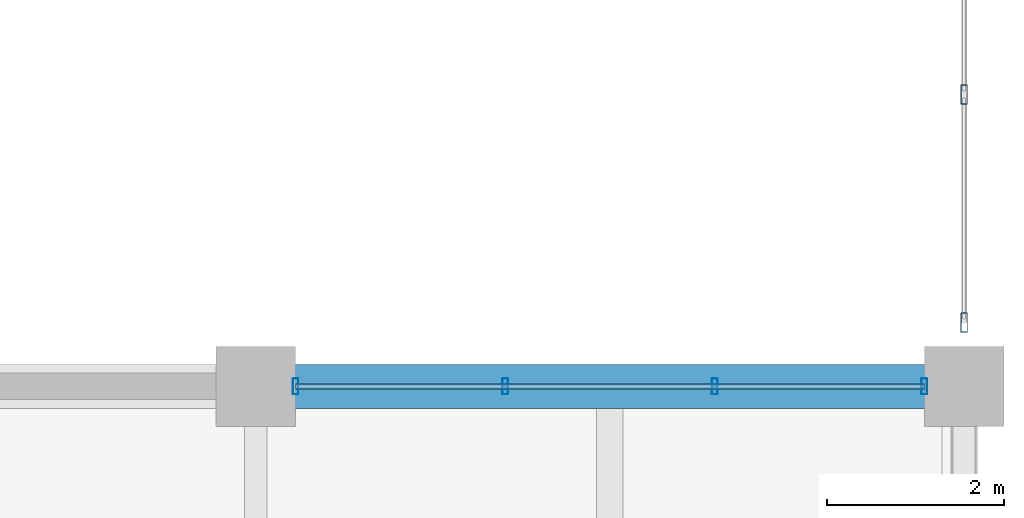
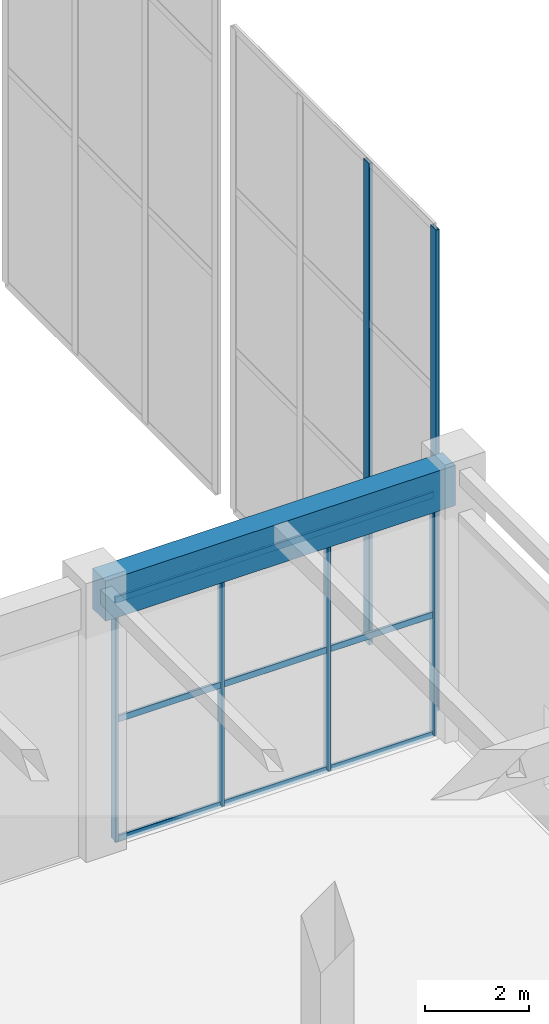
# One storey, part 103 of 163: 9 members, 1 beam, 2 elements without a shape of their own.
"""IFC4 building model written with IfcOpenShell, lengths in metres."""

from ifc_helpers import new_model, si_unit, direction, frame, origin, origin_2d, place, context, subcontext, project, spatial, rectangle, hollow_rectangle, extrude, material, material_profile, profile_set, type_object, element, aggregate, save


model = new_model("IFC4")

# Units and contexts
model_context = context("Model", 3, precision=1e-05, world=origin(), true_north=direction((0.0, 1.0)))
body_context = subcontext(model_context, "Body", "Model", "MODEL_VIEW")
ifc_project = project(units=[si_unit("LENGTHUNIT", "METRE"), si_unit("AREAUNIT", "SQUARE_METRE"), si_unit("VOLUMEUNIT", "CUBIC_METRE"), si_unit("PLANEANGLEUNIT", "RADIAN"), si_unit("MASSUNIT", "GRAM", prefix="KILO")], contexts=[model_context])

# Site, building, storey
site_placement = place(None, origin())
site = spatial("IfcSite", under=ifc_project, at=site_placement, CompositionType="ELEMENT")
building_placement = place(site_placement, origin())
building = spatial("IfcBuilding", under=site, at=building_placement, Name="Varnabhumi Central Station", CompositionType="ELEMENT")
storey_placement = place(building_placement, frame((0.0, 0.0, 9.60009765625)))
storey = spatial("IfcBuildingStorey", under=building, at=storey_placement, Name="L02", CompositionType="ELEMENT", Elevation=9.60009765625)

# Beam
ifc_material_1 = material(Name="Concrete M40", Category="concrete")
ifc_material_profile_1 = material_profile(ifc_material_1, rectangle(XDim=0.5, YDim=0.949951171875, at=origin_2d()), Name="Concrete M40", Category="concrete")
ifc_profile_set_1 = profile_set([ifc_material_profile_1], Name="Concrete M40")
beam_type = type_object("IfcBeamType", Name="BM-RC-950x500", PredefinedType="BEAM", material=ifc_profile_set_1)
beam_placement = place(storey_placement, frame((176.10009765625, 36.0, 5.875), z_axis=(1.0, 0.0, 0.0), x_axis=(0.0, 1.0, 0.0)))
element("IfcBeam", 1, at=beam_placement, inside=storey, type_object=beam_type, Name="Beam L02-E:23-24", PredefinedType="BEAM", context=body_context, shape_type="SweptSolid", body=[
    extrude(rectangle(XDim=0.5, YDim=0.949951171875, at=origin_2d()), origin(), (0.0, 0.0, 1.0), 7.7998046875),
])

# Curtain wall, members
ifc_material_2 = material(Name="Anodised aluminium 6063-T6", Category="aluminium")
curtain_wall_type_1 = type_object("IfcCurtainWallType", Name="CW-SPINE-SCREEN-L2", PredefinedType="NOTDEFINED", material=ifc_material_2)
curtain_wall_1_placement = place(storey_placement, origin())
curtain_wall_1 = element("IfcCurtainWall", 2, at=curtain_wall_1_placement, inside=storey, type_object=curtain_wall_type_1, Name="Curtain Wall CW-SS218", PredefinedType="NOTDEFINED")
ifc_material_profile_2 = material_profile(ifc_material_2, hollow_rectangle(XDim=0.06494140625, YDim=0.179931640625, WallThickness=0.00390625, InnerFilletRadius=0.001953125, OuterFilletRadius=0.006103515625, at=origin_2d()), Name="Anodised aluminium 6063-T6", Category="aluminium")
ifc_profile_set_2 = profile_set([ifc_material_profile_2], Name="Anodised aluminium 6063-T6")
member_type_1 = type_object("IfcMemberType", Name="CW-MUL-180", PredefinedType="MULLION", material=ifc_profile_set_2)
member_1_placement = place(storey_placement, frame((176.449951171875, 36.0, 0.0), z_axis=(0.0, 0.0, 1.0), x_axis=(1.0, 0.0, 0.0)))
member_1 = element("IfcMember", 3, at=member_1_placement, type_object=member_type_1, Name="Curtain Wall Mullion CW-SS218-M1", PredefinedType="MULLION", context=body_context, shape_type="SweptSolid", body=[
    extrude(hollow_rectangle(XDim=0.06494140625, YDim=0.179931640625, WallThickness=0.00390625, InnerFilletRadius=0.001953125, OuterFilletRadius=0.006103515625, at=origin_2d()), origin(), (0.0, 0.0, 1.0), 5.639892578125),
])
member_2_placement = place(storey_placement, frame((178.816650390625, 36.0, 0.0), z_axis=(0.0, 0.0, 1.0), x_axis=(1.0, 0.0, 0.0)))
member_2 = element("IfcMember", 4, at=member_2_placement, type_object=member_type_1, Name="Curtain Wall Mullion CW-SS218-M2", PredefinedType="MULLION", context=body_context, shape_type="SweptSolid", body=[
    extrude(hollow_rectangle(XDim=0.06494140625, YDim=0.179931640625, WallThickness=0.00390625, InnerFilletRadius=0.001953125, OuterFilletRadius=0.006103515625, at=origin_2d()), origin(), (0.0, 0.0, 1.0), 5.639892578125),
])
member_3_placement = place(storey_placement, frame((181.183349609375, 36.0, 0.0), z_axis=(0.0, 0.0, 1.0), x_axis=(1.0, 0.0, 0.0)))
member_3 = element("IfcMember", 5, at=member_3_placement, type_object=member_type_1, Name="Curtain Wall Mullion CW-SS218-M3", PredefinedType="MULLION", context=body_context, shape_type="SweptSolid", body=[
    extrude(hollow_rectangle(XDim=0.06494140625, YDim=0.179931640625, WallThickness=0.00390625, InnerFilletRadius=0.001953125, OuterFilletRadius=0.006103515625, at=origin_2d()), origin(), (0.0, 0.0, 1.0), 5.639892578125),
])
member_4_placement = place(storey_placement, frame((183.550048828125, 36.0, 0.0), z_axis=(0.0, 0.0, 1.0), x_axis=(1.0, 0.0, 0.0)))
member_4 = element("IfcMember", 6, at=member_4_placement, type_object=member_type_1, Name="Curtain Wall Mullion CW-SS218-M4", PredefinedType="MULLION", context=body_context, shape_type="SweptSolid", body=[
    extrude(hollow_rectangle(XDim=0.06494140625, YDim=0.179931640625, WallThickness=0.00390625, InnerFilletRadius=0.001953125, OuterFilletRadius=0.006103515625, at=origin_2d()), origin(), (0.0, 0.0, 1.0), 5.639892578125),
])

curtain_wall_type_2 = type_object("IfcCurtainWallType", Name="CW-VAULT-ARCH-V5", PredefinedType="NOTDEFINED", material=ifc_material_2)
curtain_wall_2_placement = place(storey_placement, origin())
curtain_wall_2 = element("IfcCurtainWall", 7, at=curtain_wall_2_placement, inside=storey, type_object=curtain_wall_type_2, Name="Curtain Wall CW-WG1", PredefinedType="NOTDEFINED")
ifc_material_profile_3 = material_profile(ifc_material_2, hollow_rectangle(XDim=0.074951171875, YDim=0.219970703125, WallThickness=0.0048828125, InnerFilletRadius=0.0009765625, OuterFilletRadius=0.006103515625, at=origin_2d()), Name="Anodised aluminium 6063-T6", Category="aluminium")
ifc_profile_set_3 = profile_set([ifc_material_profile_3], Name="Anodised aluminium 6063-T6")
member_type_2 = type_object("IfcMemberType", Name="CW-MUL-220", PredefinedType="MULLION", material=ifc_profile_set_3)
member_5_placement = place(storey_placement, frame((184.0, 36.719970703125, 0.0), z_axis=(0.0, 0.0, 1.0), x_axis=(1.0, 0.0, 0.0)))
member_5 = element("IfcMember", 8, at=member_5_placement, type_object=member_type_2, Name="Curtain Wall Mullion CW-WG1-M1", PredefinedType="MULLION", context=body_context, shape_type="SweptSolid", body=[
    extrude(hollow_rectangle(XDim=0.074951171875, YDim=0.219970703125, WallThickness=0.0048828125, InnerFilletRadius=0.0009765625, OuterFilletRadius=0.006103515625, at=origin_2d()), origin(), (0.0, 0.0, 1.0), 11.346435546875),
])
member_6_placement = place(storey_placement, frame((184.0, 39.296630859375, 0.0), z_axis=(0.0, 0.0, 1.0), x_axis=(1.0, 0.0, 0.0)))
member_6 = element("IfcMember", 9, at=member_6_placement, type_object=member_type_2, Name="Curtain Wall Mullion CW-WG1-M2", PredefinedType="MULLION", context=body_context, shape_type="SweptSolid", body=[
    extrude(hollow_rectangle(XDim=0.074951171875, YDim=0.219970703125, WallThickness=0.0048828125, InnerFilletRadius=0.0009765625, OuterFilletRadius=0.006103515625, at=origin_2d()), origin(), (0.0, 0.0, 1.0), 11.346435546875),
])
aggregate(curtain_wall_2, [member_5, member_6])

# Member
ifc_material_profile_4 = material_profile(ifc_material_2, hollow_rectangle(XDim=0.06005859375, YDim=0.14990234375, WallThickness=0.00390625, InnerFilletRadius=0.001953125, OuterFilletRadius=0.006103515625, at=origin_2d()), Name="Anodised aluminium 6063-T6", Category="aluminium")
ifc_profile_set_4 = profile_set([ifc_material_profile_4], Name="Anodised aluminium 6063-T6")
member_type_3 = type_object("IfcMemberType", Name="CW-TR-150", PredefinedType="USERDEFINED", material=ifc_profile_set_4)
member_7_placement = place(storey_placement, frame((176.449951171875, 36.0, 0.0), z_axis=(1.0, 0.0, 0.0), x_axis=(0.0, 1.0, 0.0)))
member_7 = element("IfcMember", 10, at=member_7_placement, type_object=member_type_3, Name="Curtain Wall Transom CW-SS218-T1", ObjectType="TRANSOM", PredefinedType="USERDEFINED", context=body_context, shape_type="SweptSolid", body=[
    extrude(hollow_rectangle(XDim=0.06005859375, YDim=0.14990234375, WallThickness=0.00390625, InnerFilletRadius=0.001953125, OuterFilletRadius=0.006103515625, at=origin_2d()), origin(), (0.0, 0.0, 1.0), 7.10009765625),
])

member_8_placement = place(storey_placement, frame((176.449951171875, 36.0, 2.81982421875), z_axis=(1.0, 0.0, 0.0), x_axis=(0.0, 1.0, 0.0)))
member_8 = element("IfcMember", 11, at=member_8_placement, type_object=member_type_3, Name="Curtain Wall Transom CW-SS218-T2", ObjectType="TRANSOM", PredefinedType="USERDEFINED", context=body_context, shape_type="SweptSolid", body=[
    extrude(hollow_rectangle(XDim=0.06005859375, YDim=0.14990234375, WallThickness=0.00390625, InnerFilletRadius=0.001953125, OuterFilletRadius=0.006103515625, at=origin_2d()), origin(), (0.0, 0.0, 1.0), 7.10009765625),
])

member_9_placement = place(storey_placement, frame((176.449951171875, 36.0, 5.639892578125), z_axis=(1.0, 0.0, 0.0), x_axis=(0.0, 1.0, 0.0)))
member_9 = element("IfcMember", 12, at=member_9_placement, type_object=member_type_3, Name="Curtain Wall Transom CW-SS218-T3", ObjectType="TRANSOM", PredefinedType="USERDEFINED", context=body_context, shape_type="SweptSolid", body=[
    extrude(hollow_rectangle(XDim=0.06005859375, YDim=0.14990234375, WallThickness=0.00390625, InnerFilletRadius=0.001953125, OuterFilletRadius=0.006103515625, at=origin_2d()), origin(), (0.0, 0.0, 1.0), 7.10009765625),
])

aggregate(curtain_wall_1, [member_1, member_2, member_3, member_4, member_7, member_8, member_9])

save(model, "model.ifc")
